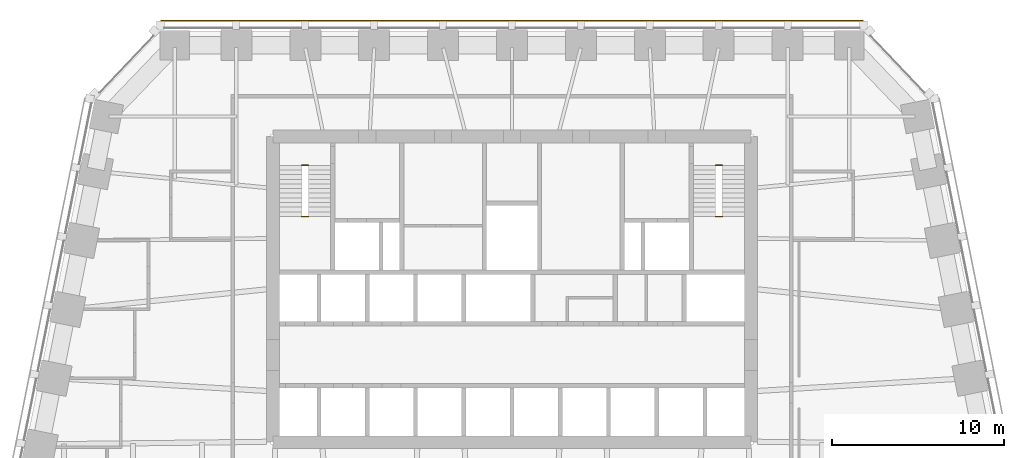
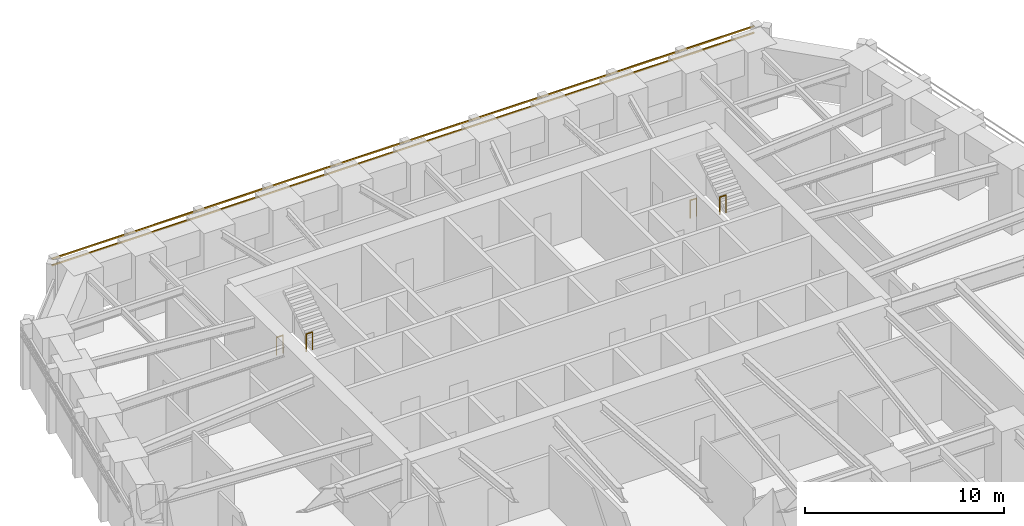
# One storey, part 10 of 10: 4 railings, 2 shading devices.
"""IFC4 building model written with IfcOpenShell, lengths in metres."""

from ifc_helpers import new_model, si_unit, direction, frame, origin, origin_2d, place, context, subcontext, project, spatial, rectangle, circle, extrude, material, material_profile, profile_set, type_object, element, save


model = new_model("IFC4")

# Units and contexts
model_context = context("Model", 3, precision=1e-05, world=origin(), true_north=direction((0.0, 1.0)))
body_context = subcontext(model_context, "Body", "Model", "MODEL_VIEW")
ifc_project = project(units=[si_unit("LENGTHUNIT", "METRE"), si_unit("AREAUNIT", "SQUARE_METRE"), si_unit("VOLUMEUNIT", "CUBIC_METRE"), si_unit("PLANEANGLEUNIT", "RADIAN"), si_unit("MASSUNIT", "GRAM", prefix="KILO")], contexts=[model_context])

# Site, building, storey
site_placement = place(None, origin())
site = spatial("IfcSite", under=ifc_project, at=site_placement, CompositionType="ELEMENT")
building_placement = place(site_placement, origin())
building = spatial("IfcBuilding", under=site, at=building_placement, Name="Isbrekke Arena Tower", CompositionType="ELEMENT")
storey_placement = place(building_placement, frame((0.0, 0.0, 103.0)))
storey = spatial("IfcBuildingStorey", under=building, at=storey_placement, Name="L22", CompositionType="ELEMENT", Elevation=103.0)

# Shading devices
ifc_material_1 = material(Name="Terracotta", Category="masonry")
ifc_material_profile = material_profile(ifc_material_1, rectangle(XDim=0.06005859375, YDim=0.06005859375, at=origin_2d()), Name="BAGUETTE 60X60")
ifc_profile_set = profile_set([ifc_material_profile], Name="Terracotta")
shading_device_type = type_object("IfcShadingDeviceType", Name="BG1 TERRACOTTA BAGUETTE 60 x 60", PredefinedType="USERDEFINED", material=ifc_profile_set)
for number, where, z_axis, x_axis, name in (
    (1, (20.39990234375, 30.60498046875, 3.280029296875), (-1.0, 0.0, 0.0), (0.0, -1.0, 0.0), "BG1 terracotta baguette N1 L22"),
    (2, (20.39990234375, 30.60498046875, 3.679931640625), (-1.0, 0.0, 0.0), (0.0, -1.0, 0.0), "BG1 terracotta baguette N2 L22"),
):
    element("IfcShadingDevice", number, at=place(storey_placement, frame(where, z_axis=z_axis, x_axis=x_axis)), inside=storey, type_object=shading_device_type, Name=name, ObjectType="TERRACOTTA BAGUETTE", PredefinedType="USERDEFINED", context=body_context, shape_type="SweptSolid", body=[
        extrude(rectangle(XDim=0.06005859375, YDim=0.06005859375, at=origin_2d()), origin(), (0.0, 0.0, 1.0), 40.7998046875),
    ])

# Railings
ifc_material_2 = material(Name="Steel stair guard, vertical bars, steel handrail", Category="steel")
railing_type = type_object("IfcRailingType", Name="GR3 STAIR WELL GUARD 1100", PredefinedType="GUARDRAIL", material=ifc_material_2)
for number, where, name in (
    (3, (-12.199951171875, 22.199951171875, 0.0), "GR3 stair well guard ST1 L22"),
    (4, (-12.199951171875, 19.22998046875, 2.0), "GR3 stair well guard ST1 L22"),
    (5, (11.824951171875, 22.199951171875, 0.0), "GR3 stair well guard ST2 L22"),
    (6, (11.824951171875, 19.22998046875, 2.0), "GR3 stair well guard ST2 L22"),
):
    element("IfcRailing", number, at=place(storey_placement, frame(where)), inside=storey, type_object=railing_type, Name=name, PredefinedType="GUARDRAIL", context=body_context, shape_type="SweptSolid", body=[
        extrude(circle(Radius=0.02392578125, at=origin_2d()), frame((0.0, 0.0, 1.076171875), z_axis=(1.0, 0.0, 0.0), x_axis=(0.0, 1.0, 0.0)), (0.0, 0.0, 1.0), 0.375),
        extrude(circle(Radius=0.02099609375, at=origin_2d()), origin(), (0.0, 0.0, 1.0), 1.052001953125),
        extrude(circle(Radius=0.02099609375, at=origin_2d()), frame((0.375, 0.0, 0.0)), (0.0, 0.0, 1.0), 1.052001953125),
    ])

save(model, "model.ifc")
